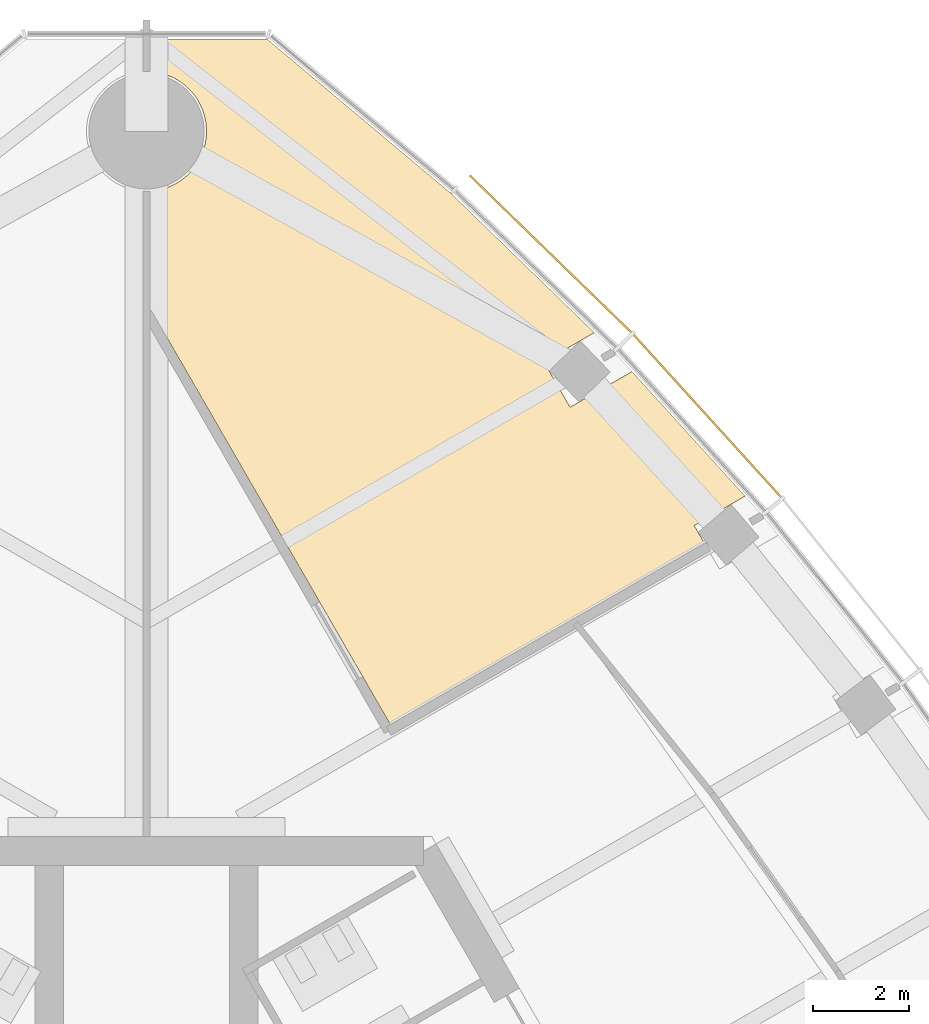
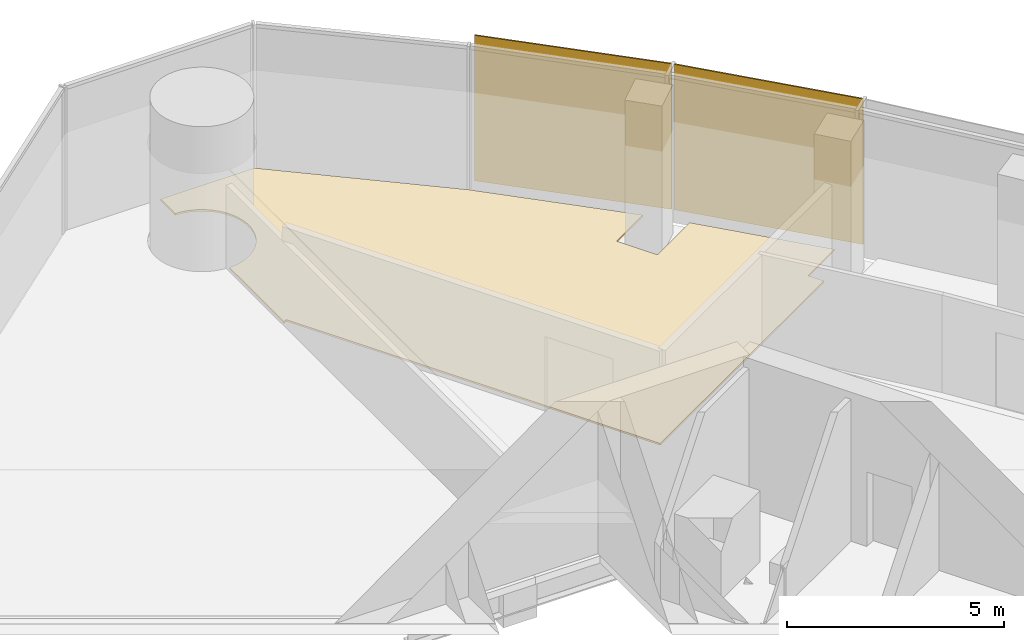
# One storey, part 14 of 16: 2 shading devices, 1 covering.
"""IFC4 building model written with IfcOpenShell, lengths in metres."""

from ifc_helpers import new_model, si_unit, direction, frame, origin, origin_2d, place, context, subcontext, project, spatial, polyline, rectangle, outline, extrude, material, layer, layer_set, type_object, element, save


model = new_model("IFC4")

# Units and contexts
model_context = context("Model", 3, precision=1e-05, world=origin(), true_north=direction((0.0, 1.0)))
body_context = subcontext(model_context, "Body", "Model", "MODEL_VIEW")
ifc_project = project(units=[si_unit("LENGTHUNIT", "METRE"), si_unit("AREAUNIT", "SQUARE_METRE"), si_unit("VOLUMEUNIT", "CUBIC_METRE"), si_unit("PLANEANGLEUNIT", "RADIAN"), si_unit("MASSUNIT", "GRAM", prefix="KILO")], contexts=[model_context])

# Site, building, storey
site_placement = place(None, origin())
site = spatial("IfcSite", under=ifc_project, at=site_placement, CompositionType="ELEMENT")
building_placement = place(site_placement, origin())
building = spatial("IfcBuilding", under=site, at=building_placement, Name="Trefoil Bronze Tower", CompositionType="ELEMENT")
storey_placement = place(building_placement, frame((0.0, 0.0, 314.10009765625)))
storey = spatial("IfcBuildingStorey", under=building, at=storey_placement, Name="L72", CompositionType="ELEMENT", Elevation=314.10009765625)

# Shading devices
ifc_material_1 = material(Name="Perforated bronze sheet", Category="bronze")
ifc_layer_1 = layer(ifc_material_1, 0.0400390625)
ifc_layer_set_1 = layer_set([ifc_layer_1], Name="Bronze solar screen panel")
shading_device_type = type_object("IfcShadingDeviceType", Name="Bronze solar screen panel", PredefinedType="SHUTTER", material=ifc_layer_set_1)
shading_device_1_placement = place(storey_placement, frame((11.688720703125, 25.067138671875, 0.0498046875), z_axis=(0.0, 0.0, 1.0), x_axis=(-0.672115274615, 0.74044652584, 0.0)))
element("IfcShadingDevice", 1, at=shading_device_1_placement, inside=storey, type_object=shading_device_type, Name="Solar screen CW-A L72 F2 bay 9", PredefinedType="SHUTTER", context=body_context, shape_type="SweptSolid", body=[
    extrude(rectangle(XDim=4.574462890625, YDim=0.0400390625, at=origin_2d()), origin(), (0.0, 0.0, 1.0), 4.10009765625),
])
shading_device_2_placement = place(storey_placement, frame((8.42236328125, 28.443359375, 0.0498046875), z_axis=(0.0, 0.0, 1.0), x_axis=(-0.71721818561, 0.696848673839, 0.0)))
element("IfcShadingDevice", 2, at=shading_device_2_placement, inside=storey, type_object=shading_device_type, Name="Solar screen CW-A L72 F2 bay 10", PredefinedType="SHUTTER", context=body_context, shape_type="SweptSolid", body=[
    extrude(rectangle(XDim=4.697509765625, YDim=0.0400390625, at=origin_2d()), origin(), (0.0, 0.0, 1.0), 4.10009765625),
])

# Covering
ifc_material_2 = material(Name="Raised access floor panels", Category="steel")
ifc_layer_2 = layer(ifc_material_2, 0.050048828125)
ifc_layer_set_2 = layer_set([ifc_layer_2], Name="Raised access floor 150")
covering_type = type_object("IfcCoveringType", Name="Raised access floor 150", PredefinedType="FLOORING", material=ifc_layer_set_2)
covering_placement = place(storey_placement, frame((0.0, 0.0, 0.099853515625)))
element("IfcCovering", 3, at=covering_placement, inside=storey, type_object=covering_type, Name="Raised floor L72 Private dining room F2", PredefinedType="FLOORING", context=body_context, shape_type="SweptSolid", body=[
    extrude(outline(polyline([(2.508056640625, 32.927490234375), (6.350830078125, 29.703125), (9.333740234375, 26.804931640625), (8.2802734375, 26.19677734375), (8.8271484375, 25.24951171875), (10.11767578125, 25.994384765625), (12.474853515625, 23.397705078125), (11.4140625, 22.784912109375), (11.626708984375, 22.41650390625), (5.081787109375, 18.637939453125), (0.0966796875, 27.272216796875), (0.01025390625, 27.222412109375), (0.01123046875, 29.750244140625), (0.061279296875, 29.75146484375), (0.12255859375, 29.756103515625), (0.183349609375, 29.763427734375), (0.243896484375, 29.77392578125), (0.3037109375, 29.78759765625), (0.36279296875, 29.8037109375), (0.421142578125, 29.822998046875), (0.478515625, 29.84521484375), (0.534423828125, 29.8701171875), (0.589111328125, 29.897705078125), (0.642578125, 29.927734375), (0.694580078125, 29.960693359375), (0.74462890625, 29.99609375), (0.79296875, 30.03369140625), (0.83935546875, 30.07373046875), (0.8837890625, 30.1162109375), (0.92626953125, 30.16064453125), (0.96630859375, 30.20703125), (1.00390625, 30.25537109375), (1.039306640625, 30.305419921875), (1.072265625, 30.357421875), (1.102294921875, 30.410888671875), (1.1298828125, 30.465576171875), (1.15478515625, 30.521484375), (1.177001953125, 30.578857421875), (1.1962890625, 30.63720703125), (1.21240234375, 30.6962890625), (1.22607421875, 30.756103515625), (1.236572265625, 30.816650390625), (1.243896484375, 30.87744140625), (1.24853515625, 30.938720703125), (1.25, 31.0), (1.24853515625, 31.061279296875), (1.243896484375, 31.12255859375), (1.236572265625, 31.183349609375), (1.22607421875, 31.243896484375), (1.21240234375, 31.3037109375), (1.1962890625, 31.36279296875), (1.177001953125, 31.421142578125), (1.15478515625, 31.478515625), (1.1298828125, 31.534423828125), (1.102294921875, 31.589111328125), (1.072265625, 31.642578125), (1.039306640625, 31.694580078125), (1.00390625, 31.74462890625), (0.96630859375, 31.79296875), (0.92626953125, 31.83935546875), (0.8837890625, 31.8837890625), (0.83935546875, 31.92626953125), (0.79296875, 31.96630859375), (0.74462890625, 32.00390625), (0.694580078125, 32.039306640625), (0.642578125, 32.072265625), (0.589111328125, 32.102294921875), (0.534423828125, 32.1298828125), (0.478515625, 32.15478515625), (0.421142578125, 32.177001953125), (0.36279296875, 32.1962890625), (0.3037109375, 32.21240234375), (0.243896484375, 32.22607421875), (0.183349609375, 32.236572265625), (0.12255859375, 32.243896484375), (0.061279296875, 32.24853515625), (0.01220703125, 32.249755859375), (0.01220703125, 32.927490234375), (2.508056640625, 32.927490234375)])), origin(), (0.0, 0.0, 1.0), 0.050048828125),
])

save(model, "model.ifc")
